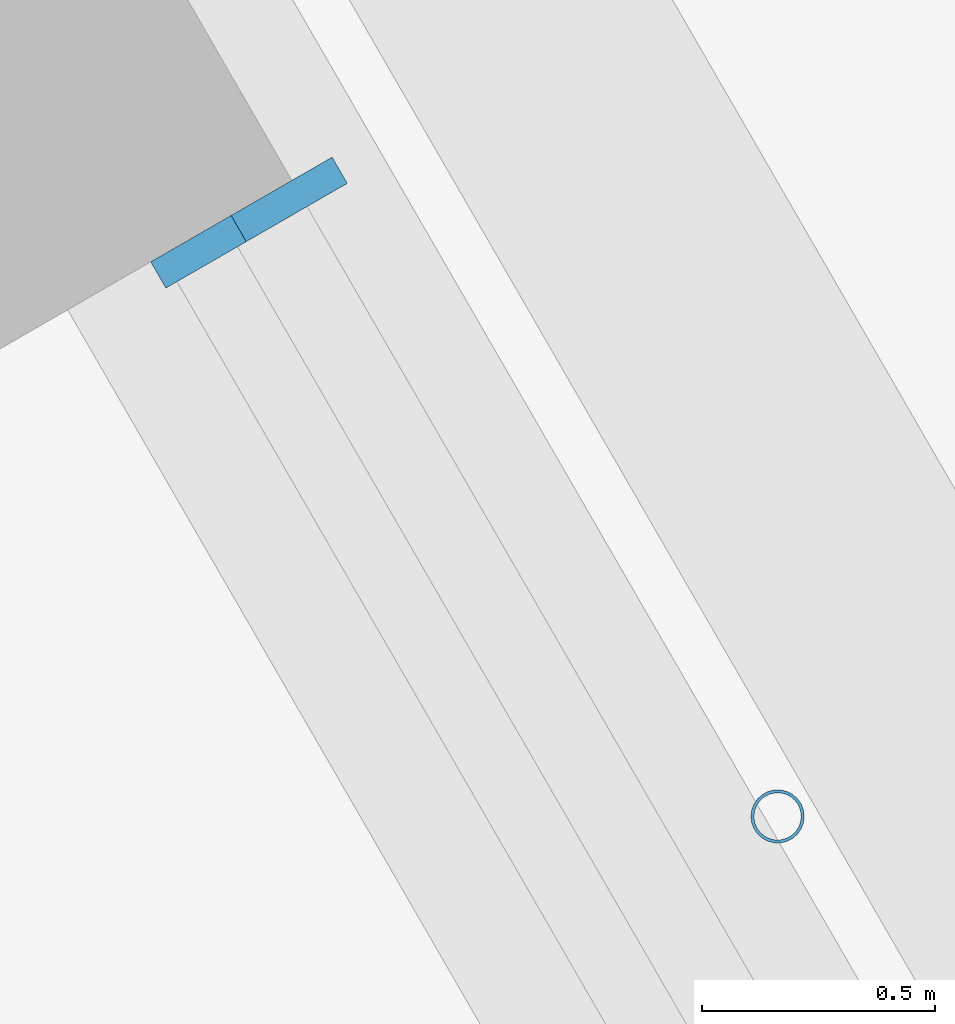
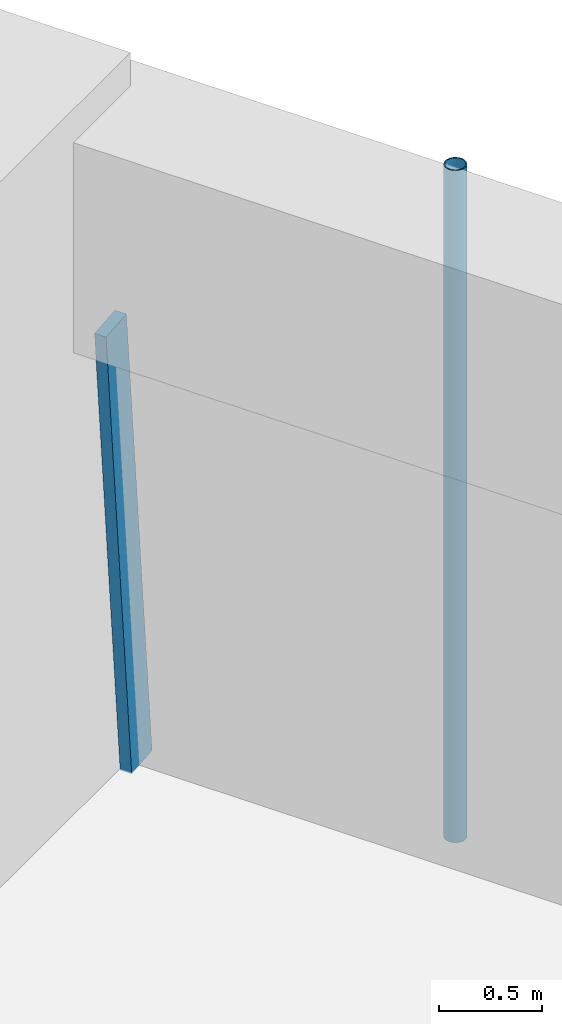
# One storey, part 15 of 24: 2 members, 1 element without a shape of its own.
"""IFC4 building model written with IfcOpenShell, lengths in metres."""

from ifc_helpers import new_model, si_unit, direction, frame, origin, origin_2d, place, context, subcontext, project, spatial, rectangle, hollow_circle, extrude, material, material_profile, profile_set, type_object, element, aggregate, save


model = new_model("IFC4")

# Units and contexts
model_context = context("Model", 3, precision=1e-05, world=origin(), true_north=direction((0.0, 1.0)))
body_context = subcontext(model_context, "Body", "Model", "MODEL_VIEW")
ifc_project = project(units=[si_unit("LENGTHUNIT", "METRE"), si_unit("AREAUNIT", "SQUARE_METRE"), si_unit("VOLUMEUNIT", "CUBIC_METRE"), si_unit("PLANEANGLEUNIT", "RADIAN"), si_unit("MASSUNIT", "GRAM", prefix="KILO")], contexts=[model_context])

# Site, building, storey
site_placement = place(None, origin())
site = spatial("IfcSite", under=ifc_project, at=site_placement, CompositionType="ELEMENT")
building_placement = place(site_placement, origin())
building = spatial("IfcBuilding", under=site, at=building_placement, Name="Tarfa Lantern Tower", CompositionType="ELEMENT")
storey_placement = place(building_placement, frame((0.0, 0.0, 148.89990234375)))
storey = spatial("IfcBuildingStorey", under=building, at=storey_placement, Name="L33", CompositionType="ELEMENT", Elevation=148.89990234375)

# Curtain wall, member
ifc_material_1 = material(Name="Aluminium framed curtain wall", Category="aluminium")
curtain_wall_type = type_object("IfcCurtainWallType", Name="CW2 CANTED GLAZING MID ZONE 2750", PredefinedType="USERDEFINED", material=ifc_material_1)
curtain_wall_placement = place(storey_placement, origin())
curtain_wall = element("IfcCurtainWall", 1, at=curtain_wall_placement, inside=storey, type_object=curtain_wall_type, Name="CW2 NE L33", ObjectType="CURTAIN WALL", PredefinedType="USERDEFINED")
ifc_material_2 = material(Name="Aluminium mullion", Category="aluminium")
ifc_material_profile_1 = material_profile(ifc_material_2, rectangle(XDim=0.06494140625, YDim=0.199951171875, at=origin_2d()), Name="AL MULLION 65x200")
ifc_profile_set_1 = profile_set([ifc_material_profile_1], Name="Aluminium mullion")
member_type_1 = type_object("IfcMemberType", Name="CWM1 MULLION 65x200", PredefinedType="MULLION", material=ifc_profile_set_1)
member_1_placement = place(storey_placement, frame((30.111328125, 10.645751953125, 0.0), z_axis=(-0.078422950161, -0.045267813396, 0.995891894715), x_axis=(0.499919672301, -0.866071776036, 0.0)))
member_1 = element("IfcMember", 2, at=member_1_placement, type_object=member_type_1, Name="CW2 mullion 2", PredefinedType="MULLION", context=body_context, shape_type="SweptSolid", body=[
    extrude(rectangle(XDim=0.06494140625, YDim=0.199951171875, at=origin_2d()), origin(), (0.0, 0.0, 1.0), 2.76123046875),
])
aggregate(curtain_wall, [member_1])

# Member
ifc_material_3 = material(Name="Steel S355", Category="steel")
ifc_material_profile_2 = material_profile(ifc_material_3, hollow_circle(Radius=0.05712890625, WallThickness=0.00634765625, at=origin_2d()), Name="CHS114.3x6.3")
ifc_profile_set_2 = profile_set([ifc_material_profile_2], Name="Steel S355")
member_type_2 = type_object("IfcMemberType", Name="TR1 GREEN WALL TRELLIS CHS114.3x6.3", PredefinedType="USERDEFINED", material=ifc_profile_set_2)
member_2_placement = place(storey_placement, frame((31.136474609375, 9.31005859375, 0.0), z_axis=(0.0, 0.0, 1.0), x_axis=(1.0, 0.0, 0.0)))
element("IfcMember", 3, at=member_2_placement, inside=storey, type_object=member_type_2, Name="Trellis post NE 1", ObjectType="TRELLIS", PredefinedType="USERDEFINED", context=body_context, shape_type="SweptSolid", body=[
    extrude(hollow_circle(Radius=0.05712890625, WallThickness=0.00634765625, at=origin_2d()), origin(), (0.0, 0.0, 1.0), 4.0),
])

save(model, "model.ifc")
